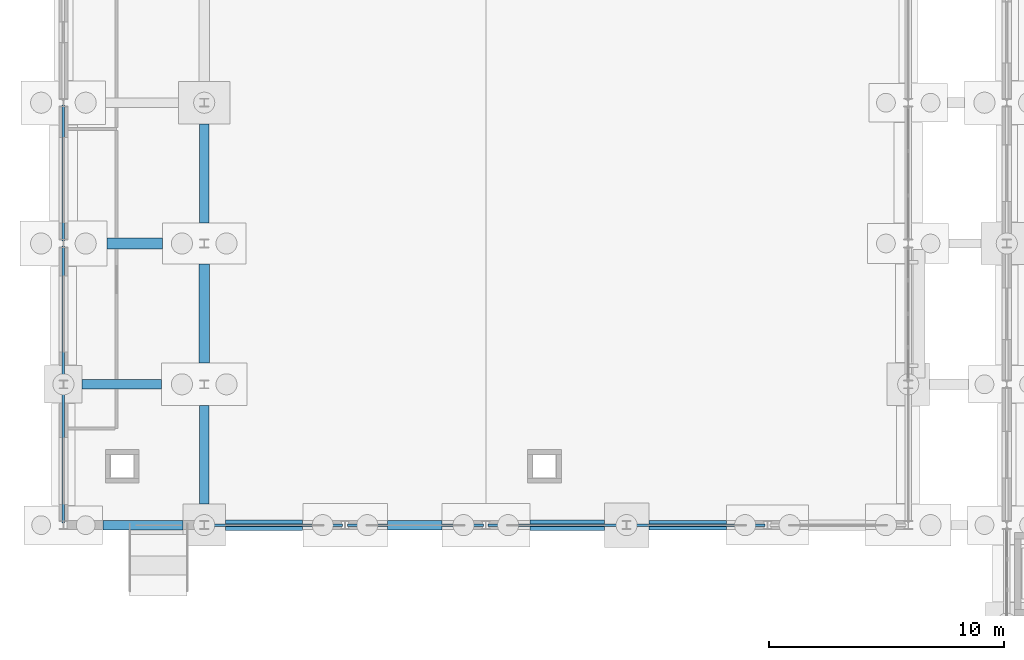
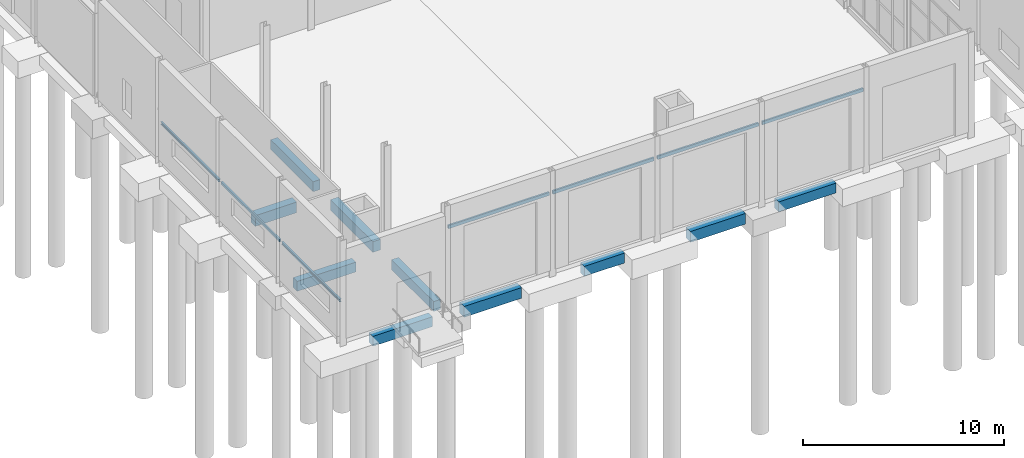
# One storey, part 29 of 120: 17 beams.
"""IFC4 building model written with IfcOpenShell, lengths in metres."""

from ifc_helpers import new_model, si_unit, direction, frame, origin, origin_2d, place, context, subcontext, project, spatial, rectangle, hollow_rectangle, i_section, extrude, material, material_profile, profile_set, type_object, element, save


model = new_model("IFC4")

# Units and contexts
model_context = context("Model", 3, precision=1e-05, world=origin(), true_north=direction((0.0, 1.0)))
body_context = subcontext(model_context, "Body", "Model", "MODEL_VIEW")
ifc_project = project(units=[si_unit("LENGTHUNIT", "METRE"), si_unit("AREAUNIT", "SQUARE_METRE"), si_unit("VOLUMEUNIT", "CUBIC_METRE"), si_unit("PLANEANGLEUNIT", "RADIAN"), si_unit("MASSUNIT", "GRAM", prefix="KILO")], contexts=[model_context])

# Site, building, storey
site_placement = place(None, origin())
site = spatial("IfcSite", under=ifc_project, at=site_placement, CompositionType="ELEMENT")
building_placement = place(site_placement, origin())
building = spatial("IfcBuilding", under=site, at=building_placement, Name="Siltcreek Boulevard Central Fire Station", CompositionType="ELEMENT")
storey_placement = place(building_placement, origin())
storey = spatial("IfcBuildingStorey", under=building, at=storey_placement, Name="L01", CompositionType="ELEMENT", Elevation=0.0)

# Beams
ifc_material_1 = material(Name="Concrete C35/45", Category="concrete")
ifc_material_profile_1 = material_profile(ifc_material_1, rectangle(XDim=0.39990234375, YDim=0.60009765625, at=origin_2d()), Name="RC400X600")
ifc_profile_set_1 = profile_set([ifc_material_profile_1], Name="Concrete C35/45")
beam_type_1 = type_object("IfcBeamType", Name="GB_RC400X600", PredefinedType="USERDEFINED", material=ifc_profile_set_1)
beam_1_placement = place(storey_placement, frame((3.47705078125, 18.0, -0.7099609375), z_axis=(1.0, 0.0, 0.0), x_axis=(0.0, 1.0, 0.0)))
element("IfcBeam", 1, at=beam_1_placement, inside=storey, type_object=beam_type_1, Name="Reinforced concrete tie grade beam GB-023", ObjectType="GRADE BEAM", PredefinedType="USERDEFINED", context=body_context, shape_type="SweptSolid", body=[
    extrude(rectangle(XDim=0.39990234375, YDim=0.60009765625, at=origin_2d()), origin(), (0.0, 0.0, 1.0), 3.4208984375),
])
beam_2_placement = place(storey_placement, frame((15.60205078125, 18.0, -0.7099609375), z_axis=(1.0, 0.0, 0.0), x_axis=(0.0, 1.0, 0.0)))
element("IfcBeam", 2, at=beam_2_placement, inside=storey, type_object=beam_type_1, Name="Reinforced concrete tie grade beam GB-025", ObjectType="GRADE BEAM", PredefinedType="USERDEFINED", context=body_context, shape_type="SweptSolid", body=[
    extrude(rectangle(XDim=0.39990234375, YDim=0.60009765625, at=origin_2d()), origin(), (0.0, 0.0, 1.0), 2.321044921875),
])
beam_3_placement = place(storey_placement, frame((26.751953125, 18.0, -0.7099609375), z_axis=(1.0, 0.0, 0.0), x_axis=(0.0, 1.0, 0.0)))
element("IfcBeam", 3, at=beam_3_placement, inside=storey, type_object=beam_type_1, Name="Reinforced concrete tie grade beam GB-027", ObjectType="GRADE BEAM", PredefinedType="USERDEFINED", context=body_context, shape_type="SweptSolid", body=[
    extrude(rectangle(XDim=0.39990234375, YDim=0.60009765625, at=origin_2d()), origin(), (0.0, 0.0, 1.0), 3.296142578125),
])
beam_4_placement = place(storey_placement, frame((2.60205078125, 24.0, -0.7099609375), z_axis=(1.0, 0.0, 0.0), x_axis=(0.0, 1.0, 0.0)))
element("IfcBeam", 4, at=beam_4_placement, inside=storey, type_object=beam_type_1, Name="Reinforced concrete tie grade beam GB-051", ObjectType="GRADE BEAM", PredefinedType="USERDEFINED", context=body_context, shape_type="SweptSolid", body=[
    extrude(rectangle(XDim=0.39990234375, YDim=0.60009765625, at=origin_2d()), origin(), (0.0, 0.0, 1.0), 3.370849609375),
])
beam_5_placement = place(storey_placement, frame((7.800048828125, 18.902099609375, -0.7099609375), z_axis=(0.0, 1.0, 0.0), x_axis=(-1.0, 0.0, 0.0)))
element("IfcBeam", 5, at=beam_5_placement, inside=storey, type_object=beam_type_1, Name="Reinforced concrete tie grade beam GB-139", ObjectType="GRADE BEAM", PredefinedType="USERDEFINED", context=body_context, shape_type="SweptSolid", body=[
    extrude(rectangle(XDim=0.39990234375, YDim=0.60009765625, at=origin_2d()), origin(), (0.0, 0.0, 1.0), 4.19580078125),
])
beam_6_placement = place(storey_placement, frame((7.800048828125, 30.876953125, -0.7099609375), z_axis=(0.0, 1.0, 0.0), x_axis=(-1.0, 0.0, 0.0)))
element("IfcBeam", 6, at=beam_6_placement, inside=storey, type_object=beam_type_1, Name="Reinforced concrete tie grade beam GB-141", ObjectType="GRADE BEAM", PredefinedType="USERDEFINED", context=body_context, shape_type="SweptSolid", body=[
    extrude(rectangle(XDim=0.39990234375, YDim=0.60009765625, at=origin_2d()), origin(), (0.0, 0.0, 1.0), 4.220947265625),
])
ifc_material_profile_2 = material_profile(ifc_material_1, rectangle(XDim=0.449951171875, YDim=0.64990234375, at=origin_2d()), Name="RC450X650")
ifc_profile_set_2 = profile_set([ifc_material_profile_2], Name="Concrete C35/45")
beam_type_2 = type_object("IfcBeamType", Name="GB_RC450X650", PredefinedType="USERDEFINED", material=ifc_profile_set_2)
beam_7_placement = place(storey_placement, frame((8.701904296875, 18.0, -0.735107421875), z_axis=(1.0, 0.0, 0.0), x_axis=(0.0, 1.0, 0.0)))
element("IfcBeam", 7, at=beam_7_placement, inside=storey, type_object=beam_type_2, Name="Reinforced concrete tie grade beam GB-024", ObjectType="GRADE BEAM", PredefinedType="USERDEFINED", context=body_context, shape_type="SweptSolid", body=[
    extrude(rectangle(XDim=0.449951171875, YDim=0.64990234375, at=origin_2d()), origin(), (0.0, 0.0, 1.0), 3.296142578125),
])
beam_8_placement = place(storey_placement, frame((21.677001953125, 18.0, -0.735107421875), z_axis=(1.0, 0.0, 0.0), x_axis=(0.0, 1.0, 0.0)))
element("IfcBeam", 8, at=beam_8_placement, inside=storey, type_object=beam_type_2, Name="Reinforced concrete tie grade beam GB-026", ObjectType="GRADE BEAM", PredefinedType="USERDEFINED", context=body_context, shape_type="SweptSolid", body=[
    extrude(rectangle(XDim=0.449951171875, YDim=0.64990234375, at=origin_2d()), origin(), (0.0, 0.0, 1.0), 3.1708984375),
])
beam_9_placement = place(storey_placement, frame((3.652099609375, 30.0, -0.735107421875), z_axis=(1.0, 0.0, 0.0), x_axis=(0.0, 1.0, 0.0)))
element("IfcBeam", 9, at=beam_9_placement, inside=storey, type_object=beam_type_2, Name="Reinforced concrete tie grade beam GB-066", ObjectType="GRADE BEAM", PredefinedType="USERDEFINED", context=body_context, shape_type="SweptSolid", body=[
    extrude(rectangle(XDim=0.449951171875, YDim=0.64990234375, at=origin_2d()), origin(), (0.0, 0.0, 1.0), 2.370849609375),
])
beam_10_placement = place(storey_placement, frame((7.800048828125, 24.902099609375, -0.735107421875), z_axis=(0.0, 1.0, 0.0), x_axis=(-1.0, 0.0, 0.0)))
element("IfcBeam", 10, at=beam_10_placement, inside=storey, type_object=beam_type_2, Name="Reinforced concrete tie grade beam GB-140", ObjectType="GRADE BEAM", PredefinedType="USERDEFINED", context=body_context, shape_type="SweptSolid", body=[
    extrude(rectangle(XDim=0.449951171875, YDim=0.64990234375, at=origin_2d()), origin(), (0.0, 0.0, 1.0), 4.220947265625),
])
ifc_material_2 = material(Name="Structural steel ASTM A500 GrC", Category="steel")
ifc_material_profile_3 = material_profile(ifc_material_2, hollow_rectangle(XDim=0.10009765625, YDim=0.14990234375, WallThickness=0.00634765625, at=origin_2d()), Name="HSS150X100X6.4")
ifc_profile_set_3 = profile_set([ifc_material_profile_3], Name="Structural steel ASTM A500 GrC")
beam_type_3 = type_object("IfcBeamType", Name="LIN_HSS150X100", PredefinedType="LINTEL", material=ifc_profile_set_3)
beam_11_placement = place(storey_placement, frame((1.800048828125, 29.89990234375, 2.169921875), z_axis=(0.0, -1.0, 0.0), x_axis=(1.0, 0.0, 0.0)))
element("IfcBeam", 11, at=beam_11_placement, inside=storey, type_object=beam_type_3, Name="Exterior window steel lintel WLN-39", PredefinedType="LINTEL", context=body_context, shape_type="SweptSolid", body=[
    extrude(hollow_rectangle(XDim=0.10009765625, YDim=0.14990234375, WallThickness=0.00634765625, at=origin_2d()), origin(), (0.0, 0.0, 1.0), 5.7998046875),
])
ifc_material_profile_4 = material_profile(ifc_material_2, hollow_rectangle(XDim=0.10009765625, YDim=0.199951171875, WallThickness=0.00634765625, at=origin_2d()), Name="HSS200X100X6.4")
ifc_profile_set_4 = profile_set([ifc_material_profile_4], Name="Structural steel ASTM A500 GrC")
beam_type_4 = type_object("IfcBeamType", Name="LIN_HSS200X100", PredefinedType="LINTEL", material=ifc_profile_set_4)
for number, where, z_axis, x_axis, name in (
    (12, (7.89990234375, 18.0, 4.570068359375), (1.0, 0.0, 0.0), (0.0, 1.0, 0.0), "Fleet bay header lintel beam LN-033"),
    (13, (13.89990234375, 18.0, 4.570068359375), (1.0, 0.0, 0.0), (0.0, 1.0, 0.0), "Fleet bay header lintel beam LN-034"),
    (14, (19.89990234375, 18.0, 4.570068359375), (1.0, 0.0, 0.0), (0.0, 1.0, 0.0), "Fleet bay header lintel beam LN-035"),
    (15, (25.89990234375, 18.0, 4.570068359375), (1.0, 0.0, 0.0), (0.0, 1.0, 0.0), "Fleet bay header lintel beam LN-036"),
):
    element("IfcBeam", number, at=place(storey_placement, frame(where, z_axis=z_axis, x_axis=x_axis)), inside=storey, type_object=beam_type_4, Name=name, PredefinedType="LINTEL", context=body_context, shape_type="SweptSolid", body=[
        extrude(hollow_rectangle(XDim=0.10009765625, YDim=0.199951171875, WallThickness=0.00634765625, at=origin_2d()), origin(), (0.0, 0.0, 1.0), 5.800048828125),
    ])
ifc_material_3 = material(Name="Structural steel ASTM A992 Gr50", Category="steel")
ifc_material_profile_5 = material_profile(ifc_material_3, i_section(OverallWidth=0.10205078125, OverallDepth=0.159912109375, WebThickness=0.006591796875, FlangeThickness=0.01025390625, at=origin_2d()), Name="W150X24")
ifc_profile_set_5 = profile_set([ifc_material_profile_5], Name="Structural steel ASTM A992 Gr50")
beam_type_5 = type_object("IfcBeamType", Name="LIN_W150X24", PredefinedType="LINTEL", material=ifc_profile_set_5)
for number, where, z_axis, x_axis, name in (
    (16, (1.800048828125, 23.89990234375, 2.169921875), (0.0, -1.0, 0.0), (1.0, 0.0, 0.0), "Exterior window steel lintel WLN-38"),
    (17, (1.800048828125, 35.89990234375, 2.169921875), (0.0, -1.0, 0.0), (1.0, 0.0, 0.0), "Exterior window steel lintel WLN-40"),
):
    element("IfcBeam", number, at=place(storey_placement, frame(where, z_axis=z_axis, x_axis=x_axis)), inside=storey, type_object=beam_type_5, Name=name, PredefinedType="LINTEL", context=body_context, shape_type="SweptSolid", body=[
        extrude(i_section(OverallWidth=0.10205078125, OverallDepth=0.159912109375, WebThickness=0.006591796875, FlangeThickness=0.01025390625, at=origin_2d()), origin(), (0.0, 0.0, 1.0), 5.7998046875),
    ])

save(model, "model.ifc")
